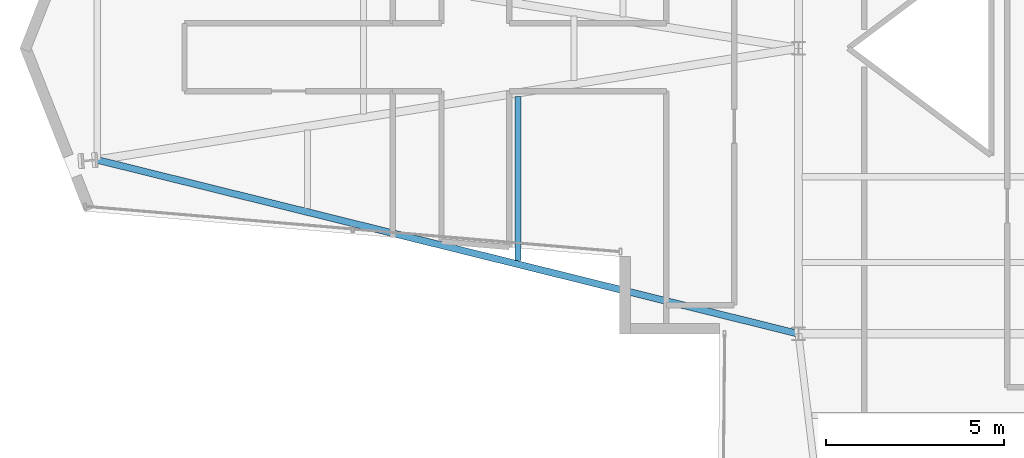
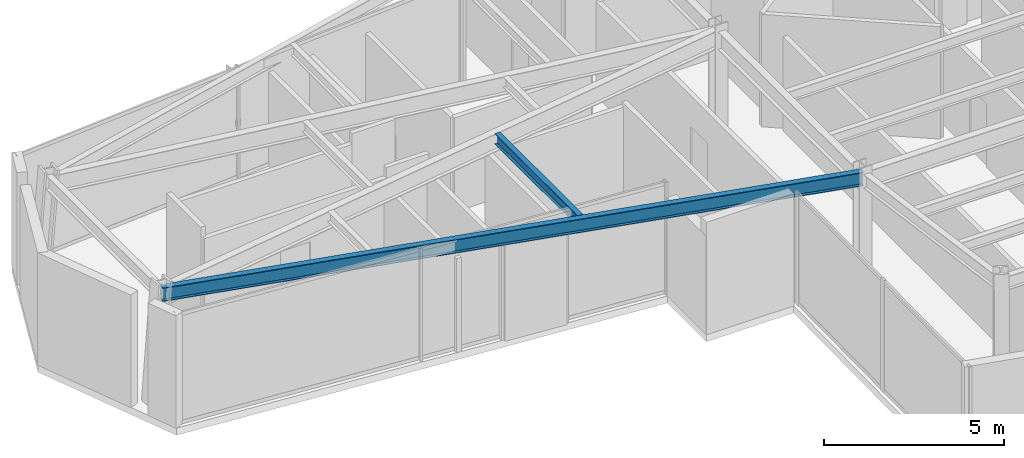
# One storey, part 3 of 25: 2 beams.
"""IFC4 building model written with IfcOpenShell, lengths in metres."""

from ifc_helpers import new_model, si_unit, direction, frame, origin, origin_2d, place, context, subcontext, project, spatial, i_section, extrude, material, material_profile, profile_set, type_object, element, save


model = new_model("IFC4")

# Units and contexts
model_context = context("Model", 3, precision=1e-05, world=origin(), true_north=direction((0.0, 1.0)))
body_context = subcontext(model_context, "Body", "Model", "MODEL_VIEW")
ifc_project = project(units=[si_unit("LENGTHUNIT", "METRE"), si_unit("AREAUNIT", "SQUARE_METRE"), si_unit("VOLUMEUNIT", "CUBIC_METRE"), si_unit("PLANEANGLEUNIT", "RADIAN"), si_unit("MASSUNIT", "GRAM", prefix="KILO")], contexts=[model_context])

# Site, building, storey
site_placement = place(None, origin())
site = spatial("IfcSite", under=ifc_project, at=site_placement, CompositionType="ELEMENT")
building_placement = place(site_placement, origin())
building = spatial("IfcBuilding", under=site, at=building_placement, Name="Veymaron Broadcast Tower", CompositionType="ELEMENT")
storey_placement = place(building_placement, frame((0.0, 0.0, 149.25)))
storey = spatial("IfcBuildingStorey", under=building, at=storey_placement, Name="L34", CompositionType="ELEMENT", Elevation=149.25)

# Beams
ifc_material = material(Name="Structural steel ASTM A992 Gr 50", Category="steel")
ifc_material_profile_1 = material_profile(ifc_material, i_section(OverallWidth=0.1708984375, OverallDepth=0.35498046875, WebThickness=0.007080078125, FlangeThickness=0.01171875, at=origin_2d()), Name="W360X51")
ifc_profile_set_1 = profile_set([ifc_material_profile_1], Name="Structural steel ASTM A992 Gr 50")
beam_type_1 = type_object("IfcBeamType", Name="BM-JS2", PredefinedType="JOIST", material=ifc_profile_set_1)
beam_1_placement = place(storey_placement, frame((23.34130859375, 18.048828125, 3.632568359375), z_axis=(0.0, 1.0, 0.0), x_axis=(-1.0, 0.0, 0.0)))
element("IfcBeam", 1, at=beam_1_placement, inside=storey, type_object=beam_type_1, Name="L34 Arm-A secondary joist 2S", PredefinedType="JOIST", context=body_context, shape_type="SweptSolid", body=[
    extrude(i_section(OverallWidth=0.1708984375, OverallDepth=0.35498046875, WebThickness=0.007080078125, FlangeThickness=0.01171875, at=origin_2d()), origin(), (0.0, 0.0, 1.0), 4.599853515625),
])
ifc_material_profile_2 = material_profile(ifc_material, i_section(OverallWidth=0.19091796875, OverallDepth=0.4599609375, WebThickness=0.010009765625, FlangeThickness=0.01611328125, at=origin_2d()), Name="W460X82")
ifc_profile_set_2 = profile_set([ifc_material_profile_2], Name="Structural steel ASTM A992 Gr 50")
beam_type_2 = type_object("IfcBeamType", Name="BM-SP1", PredefinedType="SPANDREL", material=ifc_profile_set_2)
beam_2_placement = place(storey_placement, frame((11.5537109375, 20.8720703125, 3.580078125), z_axis=(0.970599808428, -0.24069900681, 0.0), x_axis=(0.24069900681, 0.970599808428, 0.0)))
element("IfcBeam", 2, at=beam_2_placement, inside=storey, type_object=beam_type_2, Name="L34 primary structural floor girder", PredefinedType="SPANDREL", context=body_context, shape_type="SweptSolid", body=[
    extrude(i_section(OverallWidth=0.19091796875, OverallDepth=0.4599609375, WebThickness=0.010009765625, FlangeThickness=0.01611328125, at=origin_2d()), origin(), (0.0, 0.0, 1.0), 20.241455078125),
])

save(model, "model.ifc")
